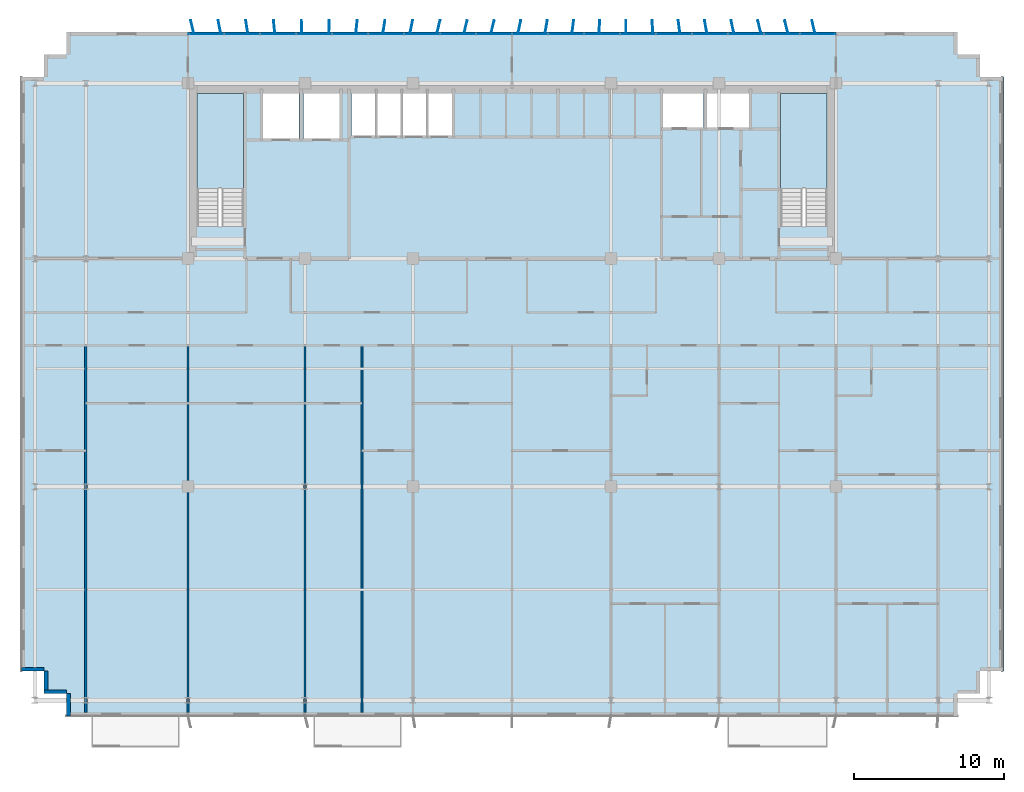
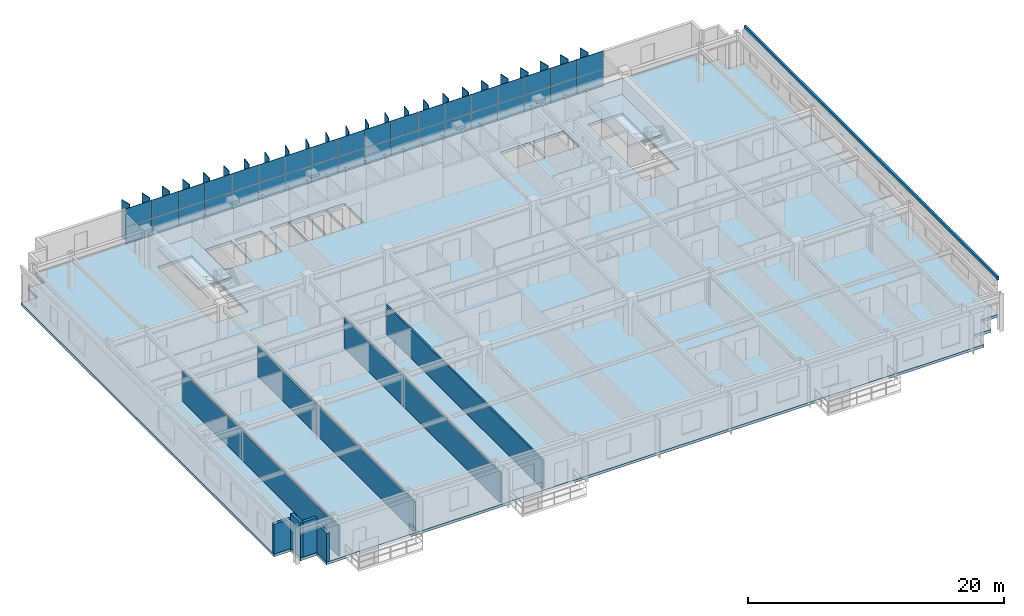
# One storey, part 13 of 21: 61 plates, 8 walls, 3 slabs, 3 elements without a shape of their own.
"""IFC4 building model written with IfcOpenShell, lengths in metres."""

from ifc_helpers import new_model, si_unit, direction, frame, frame_2d, origin, origin_2d, place, context, subcontext, project, spatial, polyline, rectangle, outline, extrude, source, transform, mapped, material, layer, layer_set, type_object, element, aggregate, save


model = new_model("IFC4")

# Units and contexts
model_context = context("Model", 3, precision=1e-05, world=origin(), true_north=direction((0.0, 1.0)))
body_context = subcontext(model_context, "Body", "Model", "MODEL_VIEW")
ifc_project = project(units=[si_unit("LENGTHUNIT", "METRE"), si_unit("AREAUNIT", "SQUARE_METRE"), si_unit("VOLUMEUNIT", "CUBIC_METRE"), si_unit("PLANEANGLEUNIT", "RADIAN"), si_unit("MASSUNIT", "GRAM", prefix="KILO")], contexts=[model_context])

# Site, building, storey
site_placement = place(None, origin())
site = spatial("IfcSite", under=ifc_project, at=site_placement, CompositionType="ELEMENT")
building_placement = place(site_placement, origin())
building = spatial("IfcBuilding", under=site, at=building_placement, Name="Trelvane Seafront Commons", CompositionType="ELEMENT")
storey_placement = place(building_placement, frame((0.0, 0.0, 110.5)))
storey = spatial("IfcBuildingStorey", under=building, at=storey_placement, Name="L28", CompositionType="ELEMENT", Elevation=110.5)

# Stair, slab
ifc_material_1 = material(Name="Concrete C40/50", Category="concrete")
stair_type_1 = type_object("IfcStairType", Name="ARCH-STR-ST-1-R20-180", PredefinedType="HALF_TURN_STAIR", material=ifc_material_1)
stair_1_placement = place(storey_placement, origin())
stair_1 = element("IfcStair", 1, at=stair_1_placement, inside=storey, type_object=stair_type_1, Name="L28 West Protected Firefighting Exit Stair ST-1", PredefinedType="HALF_TURN_STAIR")
ifc_layer_1 = layer(ifc_material_1, 0.199951171875, Name="ARCH-LND-200")
ifc_layer_set_1 = layer_set([ifc_layer_1], Name="Concrete C40/50")
slab_type_1 = type_object("IfcSlabType", Name="ARCH-LND-200", PredefinedType="LANDING", material=ifc_layer_set_1)
slab_1_placement = place(storey_placement, frame((0.0, 0.0, 1.60009765625)))
slab_1 = element("IfcSlab", 2, at=slab_1_placement, type_object=slab_type_1, Name="ST-1 landing 1", PredefinedType="LANDING", context=body_context, shape_type="SweptSolid", body=[
    extrude(outline(polyline([(19.300048828125, 38.070068359375), (19.300048828125, 44.39990234375), (16.199951171875, 44.39990234375), (16.199951171875, 38.070068359375), (19.300048828125, 38.070068359375)])), origin(), (0.0, 0.0, 1.0), 0.199951171875),
])
aggregate(stair_1, [slab_1])

stair_type_2 = type_object("IfcStairType", Name="ARCH-STR-ST-2-R20-180", PredefinedType="HALF_TURN_STAIR", material=ifc_material_1)
stair_2_placement = place(storey_placement, origin())
stair_2 = element("IfcStair", 3, at=stair_2_placement, inside=storey, type_object=stair_type_2, Name="L28 East Protected Firefighting Exit Stair ST-2", PredefinedType="HALF_TURN_STAIR")
slab_2_placement = place(storey_placement, frame((0.0, 0.0, 1.60009765625)))
slab_2 = element("IfcSlab", 4, at=slab_2_placement, type_object=slab_type_1, Name="ST-2 landing 1", PredefinedType="LANDING", context=body_context, shape_type="SweptSolid", body=[
    extrude(outline(polyline([(58.199951171875, 38.070068359375), (58.199951171875, 44.39990234375), (55.10009765625, 44.39990234375), (55.10009765625, 38.070068359375), (58.199951171875, 38.070068359375)])), origin(), (0.0, 0.0, 1.0), 0.199951171875),
])
aggregate(stair_2, [slab_2])

# Slab
ifc_material_2 = material(Name="Concrete C50/60", Category="concrete")
ifc_layer_2 = layer(ifc_material_2, 0.260009765625, Name="STR-SLB-Z1-260")
ifc_layer_set_2 = layer_set([ifc_layer_2], Name="Concrete C50/60")
slab_type_2 = type_object("IfcSlabType", Name="STR-SLB-Z1-260", PredefinedType="FLOOR", material=ifc_layer_set_2)
slab_3_placement = place(storey_placement, frame((0.0, 0.0, -0.260009765625)))
element("IfcSlab", 5, at=slab_3_placement, inside=storey, type_object=slab_type_2, Name="L28 Structural Floor Slab", PredefinedType="FLOOR", context=body_context, shape_type="SweptSolid", body=[
    extrude(outline(polyline([(7.5, 2.89990234375), (66.89990234375, 2.89990234375), (66.89990234375, 4.39990234375), (68.39990234375, 4.39990234375), (68.39990234375, 5.89990234375), (69.89990234375, 5.89990234375), (69.89990234375, 45.5), (68.39990234375, 45.5), (68.39990234375, 47.0), (66.89990234375, 47.0), (66.89990234375, 48.5), (7.5, 48.5), (7.5, 47.0), (6.0, 47.0), (6.0, 45.5), (4.5, 45.5), (4.5, 5.89990234375), (6.0, 5.89990234375), (6.0, 4.39990234375), (7.5, 4.39990234375), (7.5, 2.89990234375)]), holes=[polyline([(19.300048828125, 35.550048828125), (16.199951171875, 35.550048828125), (16.199951171875, 44.39990234375), (19.300048828125, 44.39990234375), (19.300048828125, 35.550048828125)]), polyline([(58.199951171875, 35.550048828125), (55.10009765625, 35.550048828125), (55.10009765625, 44.39990234375), (58.199951171875, 44.39990234375), (58.199951171875, 35.550048828125)]), polyline([(23.0, 41.39990234375), (20.60009765625, 41.39990234375), (20.60009765625, 44.60009765625), (23.0, 44.60009765625), (23.0, 41.39990234375)]), polyline([(23.300048828125, 41.39990234375), (23.300048828125, 44.60009765625), (25.699951171875, 44.60009765625), (25.699951171875, 41.39990234375), (23.300048828125, 41.39990234375)]), polyline([(26.5, 41.60009765625), (26.5, 44.60009765625), (28.1201171875, 44.60009765625), (28.1201171875, 41.60009765625), (26.5, 41.60009765625)]), polyline([(29.820068359375, 41.60009765625), (28.199951171875, 41.60009765625), (28.199951171875, 44.60009765625), (29.820068359375, 44.60009765625), (29.820068359375, 41.60009765625)]), polyline([(31.52001953125, 41.60009765625), (29.89990234375, 41.60009765625), (29.89990234375, 44.60009765625), (31.52001953125, 44.60009765625), (31.52001953125, 41.60009765625)]), polyline([(33.219970703125, 41.60009765625), (31.60009765625, 41.60009765625), (31.60009765625, 44.60009765625), (33.219970703125, 44.60009765625), (33.219970703125, 41.60009765625)]), polyline([(47.25, 42.14990234375), (47.25, 44.550048828125), (49.949951171875, 44.550048828125), (49.949951171875, 42.14990234375), (47.25, 42.14990234375)]), polyline([(50.199951171875, 42.14990234375), (50.199951171875, 44.550048828125), (53.0, 44.550048828125), (53.0, 42.14990234375), (50.199951171875, 42.14990234375)])]), origin(), (0.0, 0.0, 1.0), 0.260009765625),
])

# Plates
ifc_material_3 = material(Name="Anodised pale-silver aluminium", Category="aluminium")
ifc_layer_3 = layer(ifc_material_3, 0.06005859375, Name="ARCH-PLATE-FIN900")
ifc_layer_set_3 = layer_set([ifc_layer_3], Name="Anodised pale-silver aluminium")
plate_type_1 = type_object("IfcPlateType", Name="ARCH-PLATE-FIN900", PredefinedType="USERDEFINED", material=ifc_layer_set_3)
shared_shape_1 = source(origin(), body_context, "Body", "SweptSolid", [
    extrude(rectangle(XDim=0.89990234375, YDim=0.06005859375, at=origin_2d()), origin(), (0.0, 0.0, 1.0), 3.639892578125),
])
for number, where, z_axis, x_axis, name in (
    (6, (15.8974609375, 48.838134765625, -0.02001953125), (0.0, 0.0, 1.0), (-0.227657532252, 0.97374126338, 0.0), "FIN-L28-00714"),
    (7, (17.711181640625, 48.841064453125, -0.02001953125), (0.0, 0.0, 1.0), (-0.197440051739, 0.980314962637, 0.0), "FIN-L28-00715"),
    (8, (19.531494140625, 48.8447265625, -0.02001953125), (0.0, 0.0, 1.0), (-0.152440781331, 0.98831260651, 0.0), "FIN-L28-00716"),
    (9, (21.35693359375, 48.847900390625, -0.02001953125), (0.0, 0.0, 1.0), (-0.095774523217, 0.995403054397, 0.0), "FIN-L28-00717"),
    (10, (23.185791015625, 48.849853515625, -0.02001953125), (0.0, 0.0, 1.0), (-0.031778839696, 0.999494925123, 0.0), "FIN-L28-00718"),
    (11, (25.015625, 48.849853515625, -0.02001953125), (0.0, 0.0, 1.0), (0.034775653546, 0.999395144035, 0.0), "FIN-L28-00719"),
    (12, (26.84423828125, 48.847900390625, -0.02001953125), (0.0, 0.0, 1.0), (0.098557309543, 0.995131376621, 0.0), "FIN-L28-00720"),
    (13, (28.669677734375, 48.844482421875, -0.02001953125), (0.0, 0.0, 1.0), (0.154770737045, 0.987950413206, 0.0), "FIN-L28-00721"),
    (14, (30.489501953125, 48.841064453125, -0.02001953125), (0.0, 0.0, 1.0), (0.199106252751, 0.979977907973, 0.0), "FIN-L28-00722"),
    (15, (32.302978515625, 48.837890625, -0.02001953125), (0.0, 0.0, 1.0), (0.228680504868, 0.97350152886, 0.0), "FIN-L28-00723"),
    (16, (34.108642578125, 48.836669921875, -0.02001953125), (0.0, 0.0, 1.0), (0.241437528624, 0.97041636413, 0.0), "FIN-L28-00724"),
    (17, (35.906494140625, 48.837158203125, -0.02001953125), (0.0, 0.0, 1.0), (0.236675358124, 0.971588788972, 0.0), "FIN-L28-00725"),
    (18, (37.696533203125, 48.839599609375, -0.02001953125), (0.0, 0.0, 1.0), (0.214564862428, 0.976709741843, 0.0), "FIN-L28-00726"),
    (19, (41.25634765625, 48.846435546875, -0.02001953125), (0.0, 0.0, 1.0), (0.125333233564, 0.992114701314, 0.0), "FIN-L28-00728"),
    (20, (43.029052734375, 48.84912109375, -0.02001953125), (0.0, 0.0, 1.0), (0.064446965142, 0.997921133499, 0.0), "FIN-L28-00729"),
    (21, (44.79931640625, 48.85009765625, -0.02001953125), (0.0, 0.0, 1.0), (-0.001445132118, 0.999998955796, 0.0), "FIN-L28-00730"),
    (22, (46.569580078125, 48.84912109375, -0.02001953125), (0.0, 0.0, 1.0), (-0.067330948709, 0.997730696804, 0.0), "FIN-L28-00731"),
    (23, (48.34228515625, 48.84619140625, -0.02001953125), (0.0, 0.0, 1.0), (-0.12789033847, 0.991788314776, 0.0), "FIN-L28-00732"),
    (24, (50.11962890625, 48.8427734375, -0.02001953125), (0.0, 0.0, 1.0), (-0.178669988845, 0.983909058341, 0.0), "FIN-L28-00733"),
    (25, (51.90283203125, 48.83935546875, -0.02001953125), (0.0, 0.0, 1.0), (-0.215884088632, 0.976418998318, 0.0), "FIN-L28-00734"),
    (26, (53.693115234375, 48.837158203125, -0.02001953125), (0.0, 0.0, 1.0), (-0.23722474077, 0.971454796873, 0.0), "FIN-L28-00735"),
    (27, (55.491455078125, 48.836669921875, -0.02001953125), (0.0, 0.0, 1.0), (-0.241227504659, 0.970468593514, 0.0), "FIN-L28-00736"),
    (28, (57.297607421875, 48.838134765625, -0.02001953125), (0.0, 0.0, 1.0), (-0.227657532252, 0.97374126338, 0.0), "FIN-L28-00737"),
):
    element("IfcPlate", number, at=place(storey_placement, frame(where, z_axis=z_axis, x_axis=x_axis)), inside=storey, type_object=plate_type_1, Name=name, ObjectType="FIN", PredefinedType="USERDEFINED", context=body_context, shape_type="MappedRepresentation", body=[
        mapped(shared_shape_1, transform((0.0, 0.0, 0.0), x_axis=(1.0, 0.0, 0.0), y_axis=(0.0, 1.0, 0.0), z_axis=(0.0, 0.0, 1.0), scale=1.0)),
    ])
shared_shape_2 = source(origin(), body_context, "Body", "SweptSolid", [
    extrude(rectangle(XDim=0.900146484375, YDim=0.06005859375, at=origin_2d()), origin(), (0.0, 0.0, 1.0), 3.639892578125),
])
plate_1_placement = place(storey_placement, frame((39.4794921875, 48.843017578125, -0.02001953125), z_axis=(0.0, 0.0, 1.0), x_axis=(0.17665528713, 0.984272782073, 0.0)))
element("IfcPlate", 29, at=plate_1_placement, inside=storey, type_object=plate_type_1, Name="FIN-L28-00727", ObjectType="FIN", PredefinedType="USERDEFINED", context=body_context, shape_type="MappedRepresentation", body=[
    mapped(shared_shape_2, transform((0.0, 0.0, 0.0), x_axis=(1.0, 0.0, 0.0), y_axis=(0.0, 1.0, 0.0), z_axis=(0.0, 0.0, 1.0), scale=1.0)),
])
ifc_layer_4 = layer(ifc_material_3, 0.179931640625, Name="ARCH-PLATE-AERO")
ifc_layer_set_4 = layer_set([ifc_layer_4], Name="Anodised pale-silver aluminium")
plate_type_2 = type_object("IfcPlateType", Name="ARCH-PLATE-AERO", PredefinedType="SHEET", material=ifc_layer_set_4)
shared_shape_3 = source(origin(), body_context, "Body", "SweptSolid", [
    extrude(rectangle(XDim=39.60009765625, YDim=0.179931640625, at=origin_2d()), origin(), (0.0, 0.0, 1.0), 0.340087890625),
])
plate_2_placement = place(storey_placement, frame((69.89990234375, 25.699951171875, 3.27978515625), z_axis=(0.0, 0.0, 1.0), x_axis=(0.0, -1.0, 0.0)))
element("IfcPlate", 30, at=plate_2_placement, inside=storey, type_object=plate_type_2, Name="AER-L28-00103", PredefinedType="SHEET", context=body_context, shape_type="MappedRepresentation", body=[
    mapped(shared_shape_3, transform((0.0, 0.0, 0.0), x_axis=(1.0, 0.0, 0.0), y_axis=(0.0, 1.0, 0.0), z_axis=(0.0, 0.0, 1.0), scale=1.0)),
])

# Curtain wall, plates
curtain_wall_type = type_object("IfcCurtainWallType", Name="ARCH-CW4-SKYLOBBY", PredefinedType="NOTDEFINED", material=ifc_material_3)
curtain_wall_placement = place(storey_placement, origin())
curtain_wall = element("IfcCurtainWall", 31, at=curtain_wall_placement, inside=storey, type_object=curtain_wall_type, Name="CW-L28-0053", PredefinedType="NOTDEFINED")
ifc_material_4 = material(Name="Low-E coastal double glazing", Category="glass")
ifc_layer_5 = layer(ifc_material_4, 0.033935546875, Name="ARCH-CW-GLAZ-34")
ifc_layer_set_5 = layer_set([ifc_layer_5], Name="Low-E coastal double glazing")
plate_type_3 = type_object("IfcPlateType", Name="ARCH-CW-GLAZ-34", PredefinedType="CURTAIN_PANEL", material=ifc_layer_set_5)
shared_shape_4 = source(origin(), body_context, "Body", "SweptSolid", [
    extrude(rectangle(XDim=2.3759765625, YDim=0.0400390625, at=origin_2d()), origin(), (0.0, 0.0, 1.0), 1.5849609375),
])
plate_3_placement = place(storey_placement, frame((16.800048828125, 48.3701171875, 0.0), z_axis=(0.0, 0.0, 1.0), x_axis=(1.0, 0.0, 0.0)))
plate_3 = element("IfcPlate", 32, at=plate_3_placement, type_object=plate_type_3, Name="CW-L28-0053-P00-1", PredefinedType="CURTAIN_PANEL", context=body_context, shape_type="MappedRepresentation", body=[
    mapped(shared_shape_4, transform((0.0, 0.0, 0.0), x_axis=(1.0, 0.0, 0.0), y_axis=(0.0, 1.0, 0.0), z_axis=(0.0, 0.0, 1.0), scale=1.0)),
])
plate_4_placement = place(storey_placement, frame((19.199951171875, 48.3701171875, 0.0), z_axis=(0.0, 0.0, 1.0), x_axis=(1.0, 0.0, 0.0)))
plate_4 = element("IfcPlate", 33, at=plate_4_placement, type_object=plate_type_3, Name="CW-L28-0053-P01-1", PredefinedType="CURTAIN_PANEL", context=body_context, shape_type="MappedRepresentation", body=[
    mapped(shared_shape_4, transform((0.0, 0.0, 0.0), x_axis=(1.0, 0.0, 0.0), y_axis=(0.0, 1.0, 0.0), z_axis=(0.0, 0.0, 1.0), scale=1.0)),
])
plate_5_placement = place(storey_placement, frame((21.60009765625, 48.3701171875, 0.0), z_axis=(0.0, 0.0, 1.0), x_axis=(1.0, 0.0, 0.0)))
plate_5 = element("IfcPlate", 34, at=plate_5_placement, type_object=plate_type_3, Name="CW-L28-0053-P02-1", PredefinedType="CURTAIN_PANEL", context=body_context, shape_type="MappedRepresentation", body=[
    mapped(shared_shape_4, transform((0.0, 0.0, 0.0), x_axis=(1.0, 0.0, 0.0), y_axis=(0.0, 1.0, 0.0), z_axis=(0.0, 0.0, 1.0), scale=1.0)),
])
plate_6_placement = place(storey_placement, frame((24.0, 48.3701171875, 0.0), z_axis=(0.0, 0.0, 1.0), x_axis=(1.0, 0.0, 0.0)))
plate_6 = element("IfcPlate", 35, at=plate_6_placement, type_object=plate_type_3, Name="CW-L28-0053-P03-1", PredefinedType="CURTAIN_PANEL", context=body_context, shape_type="MappedRepresentation", body=[
    mapped(shared_shape_4, transform((0.0, 0.0, 0.0), x_axis=(1.0, 0.0, 0.0), y_axis=(0.0, 1.0, 0.0), z_axis=(0.0, 0.0, 1.0), scale=1.0)),
])
plate_7_placement = place(storey_placement, frame((26.39990234375, 48.3701171875, 0.0), z_axis=(0.0, 0.0, 1.0), x_axis=(1.0, 0.0, 0.0)))
plate_7 = element("IfcPlate", 36, at=plate_7_placement, type_object=plate_type_3, Name="CW-L28-0053-P04-1", PredefinedType="CURTAIN_PANEL", context=body_context, shape_type="MappedRepresentation", body=[
    mapped(shared_shape_4, transform((0.0, 0.0, 0.0), x_axis=(1.0, 0.0, 0.0), y_axis=(0.0, 1.0, 0.0), z_axis=(0.0, 0.0, 1.0), scale=1.0)),
])
plate_8_placement = place(storey_placement, frame((28.800048828125, 48.3701171875, 0.0), z_axis=(0.0, 0.0, 1.0), x_axis=(1.0, 0.0, 0.0)))
plate_8 = element("IfcPlate", 37, at=plate_8_placement, type_object=plate_type_3, Name="CW-L28-0053-P05-1", PredefinedType="CURTAIN_PANEL", context=body_context, shape_type="MappedRepresentation", body=[
    mapped(shared_shape_4, transform((0.0, 0.0, 0.0), x_axis=(1.0, 0.0, 0.0), y_axis=(0.0, 1.0, 0.0), z_axis=(0.0, 0.0, 1.0), scale=1.0)),
])
plate_9_placement = place(storey_placement, frame((31.199951171875, 48.3701171875, 0.0), z_axis=(0.0, 0.0, 1.0), x_axis=(1.0, 0.0, 0.0)))
plate_9 = element("IfcPlate", 38, at=plate_9_placement, type_object=plate_type_3, Name="CW-L28-0053-P06-1", PredefinedType="CURTAIN_PANEL", context=body_context, shape_type="MappedRepresentation", body=[
    mapped(shared_shape_4, transform((0.0, 0.0, 0.0), x_axis=(1.0, 0.0, 0.0), y_axis=(0.0, 1.0, 0.0), z_axis=(0.0, 0.0, 1.0), scale=1.0)),
])
plate_10_placement = place(storey_placement, frame((33.60009765625, 48.3701171875, 0.0), z_axis=(0.0, 0.0, 1.0), x_axis=(1.0, 0.0, 0.0)))
plate_10 = element("IfcPlate", 39, at=plate_10_placement, type_object=plate_type_3, Name="CW-L28-0053-P07-1", PredefinedType="CURTAIN_PANEL", context=body_context, shape_type="MappedRepresentation", body=[
    mapped(shared_shape_4, transform((0.0, 0.0, 0.0), x_axis=(1.0, 0.0, 0.0), y_axis=(0.0, 1.0, 0.0), z_axis=(0.0, 0.0, 1.0), scale=1.0)),
])
plate_11_placement = place(storey_placement, frame((36.0, 48.3701171875, 0.0), z_axis=(0.0, 0.0, 1.0), x_axis=(1.0, 0.0, 0.0)))
plate_11 = element("IfcPlate", 40, at=plate_11_placement, type_object=plate_type_3, Name="CW-L28-0053-P08-1", PredefinedType="CURTAIN_PANEL", context=body_context, shape_type="MappedRepresentation", body=[
    mapped(shared_shape_4, transform((0.0, 0.0, 0.0), x_axis=(1.0, 0.0, 0.0), y_axis=(0.0, 1.0, 0.0), z_axis=(0.0, 0.0, 1.0), scale=1.0)),
])
plate_12_placement = place(storey_placement, frame((38.39990234375, 48.3701171875, 0.0), z_axis=(0.0, 0.0, 1.0), x_axis=(1.0, 0.0, 0.0)))
plate_12 = element("IfcPlate", 41, at=plate_12_placement, type_object=plate_type_3, Name="CW-L28-0053-P09-1", PredefinedType="CURTAIN_PANEL", context=body_context, shape_type="MappedRepresentation", body=[
    mapped(shared_shape_4, transform((0.0, 0.0, 0.0), x_axis=(1.0, 0.0, 0.0), y_axis=(0.0, 1.0, 0.0), z_axis=(0.0, 0.0, 1.0), scale=1.0)),
])
plate_13_placement = place(storey_placement, frame((40.800048828125, 48.3701171875, 0.0), z_axis=(0.0, 0.0, 1.0), x_axis=(1.0, 0.0, 0.0)))
plate_13 = element("IfcPlate", 42, at=plate_13_placement, type_object=plate_type_3, Name="CW-L28-0053-P10-1", PredefinedType="CURTAIN_PANEL", context=body_context, shape_type="MappedRepresentation", body=[
    mapped(shared_shape_4, transform((0.0, 0.0, 0.0), x_axis=(1.0, 0.0, 0.0), y_axis=(0.0, 1.0, 0.0), z_axis=(0.0, 0.0, 1.0), scale=1.0)),
])
plate_14_placement = place(storey_placement, frame((43.199951171875, 48.3701171875, 0.0), z_axis=(0.0, 0.0, 1.0), x_axis=(1.0, 0.0, 0.0)))
plate_14 = element("IfcPlate", 43, at=plate_14_placement, type_object=plate_type_3, Name="CW-L28-0053-P11-1", PredefinedType="CURTAIN_PANEL", context=body_context, shape_type="MappedRepresentation", body=[
    mapped(shared_shape_4, transform((0.0, 0.0, 0.0), x_axis=(1.0, 0.0, 0.0), y_axis=(0.0, 1.0, 0.0), z_axis=(0.0, 0.0, 1.0), scale=1.0)),
])
plate_15_placement = place(storey_placement, frame((45.60009765625, 48.3701171875, 0.0), z_axis=(0.0, 0.0, 1.0), x_axis=(1.0, 0.0, 0.0)))
plate_15 = element("IfcPlate", 44, at=plate_15_placement, type_object=plate_type_3, Name="CW-L28-0053-P12-1", PredefinedType="CURTAIN_PANEL", context=body_context, shape_type="MappedRepresentation", body=[
    mapped(shared_shape_4, transform((0.0, 0.0, 0.0), x_axis=(1.0, 0.0, 0.0), y_axis=(0.0, 1.0, 0.0), z_axis=(0.0, 0.0, 1.0), scale=1.0)),
])
plate_16_placement = place(storey_placement, frame((48.0, 48.3701171875, 0.0), z_axis=(0.0, 0.0, 1.0), x_axis=(1.0, 0.0, 0.0)))
plate_16 = element("IfcPlate", 45, at=plate_16_placement, type_object=plate_type_3, Name="CW-L28-0053-P13-1", PredefinedType="CURTAIN_PANEL", context=body_context, shape_type="MappedRepresentation", body=[
    mapped(shared_shape_4, transform((0.0, 0.0, 0.0), x_axis=(1.0, 0.0, 0.0), y_axis=(0.0, 1.0, 0.0), z_axis=(0.0, 0.0, 1.0), scale=1.0)),
])
plate_17_placement = place(storey_placement, frame((50.39990234375, 48.3701171875, 0.0), z_axis=(0.0, 0.0, 1.0), x_axis=(1.0, 0.0, 0.0)))
plate_17 = element("IfcPlate", 46, at=plate_17_placement, type_object=plate_type_3, Name="CW-L28-0053-P14-1", PredefinedType="CURTAIN_PANEL", context=body_context, shape_type="MappedRepresentation", body=[
    mapped(shared_shape_4, transform((0.0, 0.0, 0.0), x_axis=(1.0, 0.0, 0.0), y_axis=(0.0, 1.0, 0.0), z_axis=(0.0, 0.0, 1.0), scale=1.0)),
])
plate_18_placement = place(storey_placement, frame((52.800048828125, 48.3701171875, 0.0), z_axis=(0.0, 0.0, 1.0), x_axis=(1.0, 0.0, 0.0)))
plate_18 = element("IfcPlate", 47, at=plate_18_placement, type_object=plate_type_3, Name="CW-L28-0053-P15-1", PredefinedType="CURTAIN_PANEL", context=body_context, shape_type="MappedRepresentation", body=[
    mapped(shared_shape_4, transform((0.0, 0.0, 0.0), x_axis=(1.0, 0.0, 0.0), y_axis=(0.0, 1.0, 0.0), z_axis=(0.0, 0.0, 1.0), scale=1.0)),
])
plate_19_placement = place(storey_placement, frame((55.199951171875, 48.3701171875, 0.0), z_axis=(0.0, 0.0, 1.0), x_axis=(1.0, 0.0, 0.0)))
plate_19 = element("IfcPlate", 48, at=plate_19_placement, type_object=plate_type_3, Name="CW-L28-0053-P16-1", PredefinedType="CURTAIN_PANEL", context=body_context, shape_type="MappedRepresentation", body=[
    mapped(shared_shape_4, transform((0.0, 0.0, 0.0), x_axis=(1.0, 0.0, 0.0), y_axis=(0.0, 1.0, 0.0), z_axis=(0.0, 0.0, 1.0), scale=1.0)),
])
plate_20_placement = place(storey_placement, frame((57.60009765625, 48.3701171875, 0.0), z_axis=(0.0, 0.0, 1.0), x_axis=(1.0, 0.0, 0.0)))
plate_20 = element("IfcPlate", 49, at=plate_20_placement, type_object=plate_type_3, Name="CW-L28-0053-P17-1", PredefinedType="CURTAIN_PANEL", context=body_context, shape_type="MappedRepresentation", body=[
    mapped(shared_shape_4, transform((0.0, 0.0, 0.0), x_axis=(1.0, 0.0, 0.0), y_axis=(0.0, 1.0, 0.0), z_axis=(0.0, 0.0, 1.0), scale=1.0)),
])
shared_shape_5 = source(origin(), body_context, "Body", "SweptSolid", [
    extrude(rectangle(XDim=2.3759765625, YDim=0.0400390625, at=origin_2d()), origin(), (0.0, 0.0, 1.0), 1.718994140625),
])
plate_21_placement = place(storey_placement, frame((16.800048828125, 48.3701171875, 1.62109375), z_axis=(0.0, 0.0, 1.0), x_axis=(1.0, 0.0, 0.0)))
plate_21 = element("IfcPlate", 50, at=plate_21_placement, type_object=plate_type_3, Name="CW-L28-0053-P00-2", PredefinedType="CURTAIN_PANEL", context=body_context, shape_type="MappedRepresentation", body=[
    mapped(shared_shape_5, transform((0.0, 0.0, 0.0), x_axis=(1.0, 0.0, 0.0), y_axis=(0.0, 1.0, 0.0), z_axis=(0.0, 0.0, 1.0), scale=1.0)),
])
plate_22_placement = place(storey_placement, frame((19.199951171875, 48.3701171875, 1.62109375), z_axis=(0.0, 0.0, 1.0), x_axis=(1.0, 0.0, 0.0)))
plate_22 = element("IfcPlate", 51, at=plate_22_placement, type_object=plate_type_3, Name="CW-L28-0053-P01-2", PredefinedType="CURTAIN_PANEL", context=body_context, shape_type="MappedRepresentation", body=[
    mapped(shared_shape_5, transform((0.0, 0.0, 0.0), x_axis=(1.0, 0.0, 0.0), y_axis=(0.0, 1.0, 0.0), z_axis=(0.0, 0.0, 1.0), scale=1.0)),
])
plate_23_placement = place(storey_placement, frame((21.60009765625, 48.3701171875, 1.62109375), z_axis=(0.0, 0.0, 1.0), x_axis=(1.0, 0.0, 0.0)))
plate_23 = element("IfcPlate", 52, at=plate_23_placement, type_object=plate_type_3, Name="CW-L28-0053-P02-2", PredefinedType="CURTAIN_PANEL", context=body_context, shape_type="MappedRepresentation", body=[
    mapped(shared_shape_5, transform((0.0, 0.0, 0.0), x_axis=(1.0, 0.0, 0.0), y_axis=(0.0, 1.0, 0.0), z_axis=(0.0, 0.0, 1.0), scale=1.0)),
])
plate_24_placement = place(storey_placement, frame((24.0, 48.3701171875, 1.62109375), z_axis=(0.0, 0.0, 1.0), x_axis=(1.0, 0.0, 0.0)))
plate_24 = element("IfcPlate", 53, at=plate_24_placement, type_object=plate_type_3, Name="CW-L28-0053-P03-2", PredefinedType="CURTAIN_PANEL", context=body_context, shape_type="MappedRepresentation", body=[
    mapped(shared_shape_5, transform((0.0, 0.0, 0.0), x_axis=(1.0, 0.0, 0.0), y_axis=(0.0, 1.0, 0.0), z_axis=(0.0, 0.0, 1.0), scale=1.0)),
])
plate_25_placement = place(storey_placement, frame((26.39990234375, 48.3701171875, 1.62109375), z_axis=(0.0, 0.0, 1.0), x_axis=(1.0, 0.0, 0.0)))
plate_25 = element("IfcPlate", 54, at=plate_25_placement, type_object=plate_type_3, Name="CW-L28-0053-P04-2", PredefinedType="CURTAIN_PANEL", context=body_context, shape_type="MappedRepresentation", body=[
    mapped(shared_shape_5, transform((0.0, 0.0, 0.0), x_axis=(1.0, 0.0, 0.0), y_axis=(0.0, 1.0, 0.0), z_axis=(0.0, 0.0, 1.0), scale=1.0)),
])
plate_26_placement = place(storey_placement, frame((28.800048828125, 48.3701171875, 1.62109375), z_axis=(0.0, 0.0, 1.0), x_axis=(1.0, 0.0, 0.0)))
plate_26 = element("IfcPlate", 55, at=plate_26_placement, type_object=plate_type_3, Name="CW-L28-0053-P05-2", PredefinedType="CURTAIN_PANEL", context=body_context, shape_type="MappedRepresentation", body=[
    mapped(shared_shape_5, transform((0.0, 0.0, 0.0), x_axis=(1.0, 0.0, 0.0), y_axis=(0.0, 1.0, 0.0), z_axis=(0.0, 0.0, 1.0), scale=1.0)),
])
plate_27_placement = place(storey_placement, frame((31.199951171875, 48.3701171875, 1.62109375), z_axis=(0.0, 0.0, 1.0), x_axis=(1.0, 0.0, 0.0)))
plate_27 = element("IfcPlate", 56, at=plate_27_placement, type_object=plate_type_3, Name="CW-L28-0053-P06-2", PredefinedType="CURTAIN_PANEL", context=body_context, shape_type="MappedRepresentation", body=[
    mapped(shared_shape_5, transform((0.0, 0.0, 0.0), x_axis=(1.0, 0.0, 0.0), y_axis=(0.0, 1.0, 0.0), z_axis=(0.0, 0.0, 1.0), scale=1.0)),
])
plate_28_placement = place(storey_placement, frame((33.60009765625, 48.3701171875, 1.62109375), z_axis=(0.0, 0.0, 1.0), x_axis=(1.0, 0.0, 0.0)))
plate_28 = element("IfcPlate", 57, at=plate_28_placement, type_object=plate_type_3, Name="CW-L28-0053-P07-2", PredefinedType="CURTAIN_PANEL", context=body_context, shape_type="MappedRepresentation", body=[
    mapped(shared_shape_5, transform((0.0, 0.0, 0.0), x_axis=(1.0, 0.0, 0.0), y_axis=(0.0, 1.0, 0.0), z_axis=(0.0, 0.0, 1.0), scale=1.0)),
])
plate_29_placement = place(storey_placement, frame((36.0, 48.3701171875, 1.62109375), z_axis=(0.0, 0.0, 1.0), x_axis=(1.0, 0.0, 0.0)))
plate_29 = element("IfcPlate", 58, at=plate_29_placement, type_object=plate_type_3, Name="CW-L28-0053-P08-2", PredefinedType="CURTAIN_PANEL", context=body_context, shape_type="MappedRepresentation", body=[
    mapped(shared_shape_5, transform((0.0, 0.0, 0.0), x_axis=(1.0, 0.0, 0.0), y_axis=(0.0, 1.0, 0.0), z_axis=(0.0, 0.0, 1.0), scale=1.0)),
])
plate_30_placement = place(storey_placement, frame((38.39990234375, 48.3701171875, 1.62109375), z_axis=(0.0, 0.0, 1.0), x_axis=(1.0, 0.0, 0.0)))
plate_30 = element("IfcPlate", 59, at=plate_30_placement, type_object=plate_type_3, Name="CW-L28-0053-P09-2", PredefinedType="CURTAIN_PANEL", context=body_context, shape_type="MappedRepresentation", body=[
    mapped(shared_shape_5, transform((0.0, 0.0, 0.0), x_axis=(1.0, 0.0, 0.0), y_axis=(0.0, 1.0, 0.0), z_axis=(0.0, 0.0, 1.0), scale=1.0)),
])
plate_31_placement = place(storey_placement, frame((40.800048828125, 48.3701171875, 1.62109375), z_axis=(0.0, 0.0, 1.0), x_axis=(1.0, 0.0, 0.0)))
plate_31 = element("IfcPlate", 60, at=plate_31_placement, type_object=plate_type_3, Name="CW-L28-0053-P10-2", PredefinedType="CURTAIN_PANEL", context=body_context, shape_type="MappedRepresentation", body=[
    mapped(shared_shape_5, transform((0.0, 0.0, 0.0), x_axis=(1.0, 0.0, 0.0), y_axis=(0.0, 1.0, 0.0), z_axis=(0.0, 0.0, 1.0), scale=1.0)),
])
plate_32_placement = place(storey_placement, frame((43.199951171875, 48.3701171875, 1.62109375), z_axis=(0.0, 0.0, 1.0), x_axis=(1.0, 0.0, 0.0)))
plate_32 = element("IfcPlate", 61, at=plate_32_placement, type_object=plate_type_3, Name="CW-L28-0053-P11-2", PredefinedType="CURTAIN_PANEL", context=body_context, shape_type="MappedRepresentation", body=[
    mapped(shared_shape_5, transform((0.0, 0.0, 0.0), x_axis=(1.0, 0.0, 0.0), y_axis=(0.0, 1.0, 0.0), z_axis=(0.0, 0.0, 1.0), scale=1.0)),
])
plate_33_placement = place(storey_placement, frame((45.60009765625, 48.3701171875, 1.62109375), z_axis=(0.0, 0.0, 1.0), x_axis=(1.0, 0.0, 0.0)))
plate_33 = element("IfcPlate", 62, at=plate_33_placement, type_object=plate_type_3, Name="CW-L28-0053-P12-2", PredefinedType="CURTAIN_PANEL", context=body_context, shape_type="MappedRepresentation", body=[
    mapped(shared_shape_5, transform((0.0, 0.0, 0.0), x_axis=(1.0, 0.0, 0.0), y_axis=(0.0, 1.0, 0.0), z_axis=(0.0, 0.0, 1.0), scale=1.0)),
])
plate_34_placement = place(storey_placement, frame((48.0, 48.3701171875, 1.62109375), z_axis=(0.0, 0.0, 1.0), x_axis=(1.0, 0.0, 0.0)))
plate_34 = element("IfcPlate", 63, at=plate_34_placement, type_object=plate_type_3, Name="CW-L28-0053-P13-2", PredefinedType="CURTAIN_PANEL", context=body_context, shape_type="MappedRepresentation", body=[
    mapped(shared_shape_5, transform((0.0, 0.0, 0.0), x_axis=(1.0, 0.0, 0.0), y_axis=(0.0, 1.0, 0.0), z_axis=(0.0, 0.0, 1.0), scale=1.0)),
])
plate_35_placement = place(storey_placement, frame((50.39990234375, 48.3701171875, 1.62109375), z_axis=(0.0, 0.0, 1.0), x_axis=(1.0, 0.0, 0.0)))
plate_35 = element("IfcPlate", 64, at=plate_35_placement, type_object=plate_type_3, Name="CW-L28-0053-P14-2", PredefinedType="CURTAIN_PANEL", context=body_context, shape_type="MappedRepresentation", body=[
    mapped(shared_shape_5, transform((0.0, 0.0, 0.0), x_axis=(1.0, 0.0, 0.0), y_axis=(0.0, 1.0, 0.0), z_axis=(0.0, 0.0, 1.0), scale=1.0)),
])
plate_36_placement = place(storey_placement, frame((52.800048828125, 48.3701171875, 1.62109375), z_axis=(0.0, 0.0, 1.0), x_axis=(1.0, 0.0, 0.0)))
plate_36 = element("IfcPlate", 65, at=plate_36_placement, type_object=plate_type_3, Name="CW-L28-0053-P15-2", PredefinedType="CURTAIN_PANEL", context=body_context, shape_type="MappedRepresentation", body=[
    mapped(shared_shape_5, transform((0.0, 0.0, 0.0), x_axis=(1.0, 0.0, 0.0), y_axis=(0.0, 1.0, 0.0), z_axis=(0.0, 0.0, 1.0), scale=1.0)),
])
plate_37_placement = place(storey_placement, frame((55.199951171875, 48.3701171875, 1.62109375), z_axis=(0.0, 0.0, 1.0), x_axis=(1.0, 0.0, 0.0)))
plate_37 = element("IfcPlate", 66, at=plate_37_placement, type_object=plate_type_3, Name="CW-L28-0053-P16-2", PredefinedType="CURTAIN_PANEL", context=body_context, shape_type="MappedRepresentation", body=[
    mapped(shared_shape_5, transform((0.0, 0.0, 0.0), x_axis=(1.0, 0.0, 0.0), y_axis=(0.0, 1.0, 0.0), z_axis=(0.0, 0.0, 1.0), scale=1.0)),
])
plate_38_placement = place(storey_placement, frame((57.60009765625, 48.3701171875, 1.62109375), z_axis=(0.0, 0.0, 1.0), x_axis=(1.0, 0.0, 0.0)))
plate_38 = element("IfcPlate", 67, at=plate_38_placement, type_object=plate_type_3, Name="CW-L28-0053-P17-2", PredefinedType="CURTAIN_PANEL", context=body_context, shape_type="MappedRepresentation", body=[
    mapped(shared_shape_5, transform((0.0, 0.0, 0.0), x_axis=(1.0, 0.0, 0.0), y_axis=(0.0, 1.0, 0.0), z_axis=(0.0, 0.0, 1.0), scale=1.0)),
])
aggregate(curtain_wall, [plate_3, plate_21, plate_4, plate_22, plate_5, plate_23, plate_6, plate_24, plate_7, plate_25, plate_8, plate_26, plate_9, plate_27, plate_10, plate_28, plate_11, plate_29, plate_12, plate_30, plate_13, plate_31, plate_14, plate_32, plate_15, plate_33, plate_16, plate_34, plate_17, plate_35, plate_18, plate_36, plate_19, plate_37, plate_20, plate_38])

# Walls
ifc_material_5 = material(Name="Precast concrete C40/50", Category="concrete")
ifc_layer_6 = layer(ifc_material_5, 0.260009765625, Name="ARCH-WALL-EXT260")
ifc_layer_set_6 = layer_set([ifc_layer_6], Name="Precast concrete C40/50")
wall_type_1 = type_object("IfcWallType", Name="ARCH-WALL-EXT260", PredefinedType="SOLIDWALL", material=ifc_layer_set_6)
for number, where, z_axis, x_axis, name in (
    (68, (7.5, 4.530029296875, 0.0), (0.0, 0.0, 1.0), (-1.0, 0.0, 0.0), "EW-L28-00519"),
    (69, (6.1298828125, 4.39990234375, 0.0), (0.0, 0.0, 1.0), (0.0, 1.0, 0.0), "EW-L28-00520"),
):
    element("IfcWall", number, at=place(storey_placement, frame(where, z_axis=z_axis, x_axis=x_axis)), inside=storey, type_object=wall_type_1, Name=name, PredefinedType="SOLIDWALL", context=body_context, shape_type="SweptSolid", body=[
        extrude(rectangle(XDim=1.5, YDim=0.260009765625, at=frame_2d((0.75, 0.0))), origin(), (0.0, 0.0, 1.0), 3.340087890625),
    ])
wall_1_placement = place(storey_placement, frame((6.0, 6.030029296875, 0.0), z_axis=(0.0, 0.0, 1.0), x_axis=(-1.0, 0.0, 0.0)))
element("IfcWall", 70, at=wall_1_placement, inside=storey, type_object=wall_type_1, Name="EW-L28-00521", PredefinedType="SOLIDWALL", context=body_context, shape_type="SweptSolid", body=[
    extrude(rectangle(XDim=1.5, YDim=0.260009765625, at=frame_2d((0.75, 0.0))), origin(), (0.0, 0.0, 1.0), 2.840087890625),
])
wall_2_placement = place(storey_placement, frame((7.6298828125, 2.89990234375, 0.0), z_axis=(0.0, 0.0, 1.0), x_axis=(0.0, 1.0, 0.0)))
element("IfcWall", 71, at=wall_2_placement, inside=storey, type_object=wall_type_1, Name="EW-L28-00537", PredefinedType="SOLIDWALL", context=body_context, shape_type="SweptSolid", body=[
    extrude(rectangle(XDim=1.5, YDim=0.260009765625, at=frame_2d((0.75, 0.0))), origin(), (0.0, 0.0, 1.0), 2.751953125),
])
ifc_material_6 = material(Name="Gypsum Drywall Acoustic Partition")
ifc_layer_7 = layer(ifc_material_6, 0.14990234375, Name="ARCH-WALL-PART150")
ifc_layer_set_7 = layer_set([ifc_layer_7], Name="Gypsum Drywall Acoustic Partition")
wall_type_2 = type_object("IfcWallType", Name="ARCH-WALL-PART150", PredefinedType="PARTITIONING", material=ifc_layer_set_7)
for number, where, z_axis, x_axis, name in (
    (72, (8.800048828125, 3.14501953125, 0.0), (0.0, 0.0, 1.0), (0.0, 1.0, 0.0), "W-L28-PW-1-054"),
    (73, (15.60009765625, 3.14501953125, 0.0), (0.0, 0.0, 1.0), (0.0, 1.0, 0.0), "W-L28-PW-2-055"),
    (74, (23.39990234375, 3.14501953125, 0.0), (0.0, 0.0, 1.0), (0.0, 1.0, 0.0), "W-L28-PW-3-056"),
):
    element("IfcWall", number, at=place(storey_placement, frame(where, z_axis=z_axis, x_axis=x_axis)), inside=storey, type_object=wall_type_2, Name=name, PredefinedType="PARTITIONING", context=body_context, shape_type="SweptSolid", body=[
        extrude(rectangle(XDim=24.455078125, YDim=0.14990234375, at=frame_2d((12.2275390625, 0.0))), origin(), (0.0, 0.0, 1.0), 2.840087890625),
    ])
wall_3_placement = place(storey_placement, frame((27.199951171875, 3.14501953125, 0.0), z_axis=(0.0, 0.0, 1.0), x_axis=(0.0, 1.0, 0.0)))
element("IfcWall", 75, at=wall_3_placement, inside=storey, type_object=wall_type_2, Name="W-L28-PW-4-057", PredefinedType="PARTITIONING", context=body_context, shape_type="SweptSolid", body=[
    extrude(rectangle(XDim=24.455078125, YDim=0.14990234375, at=frame_2d((12.2275390625, 0.0))), origin(), (0.0, 0.0, 1.0), 2.751953125),
])

save(model, "model.ifc")
